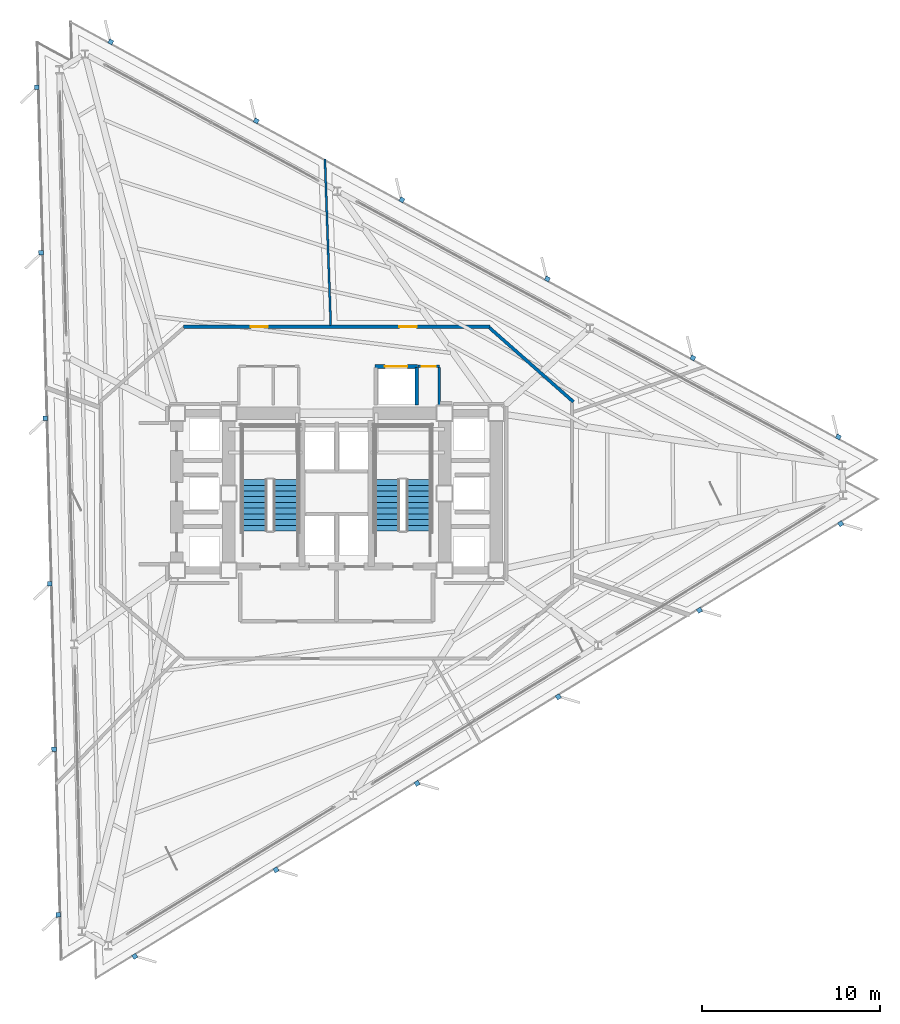
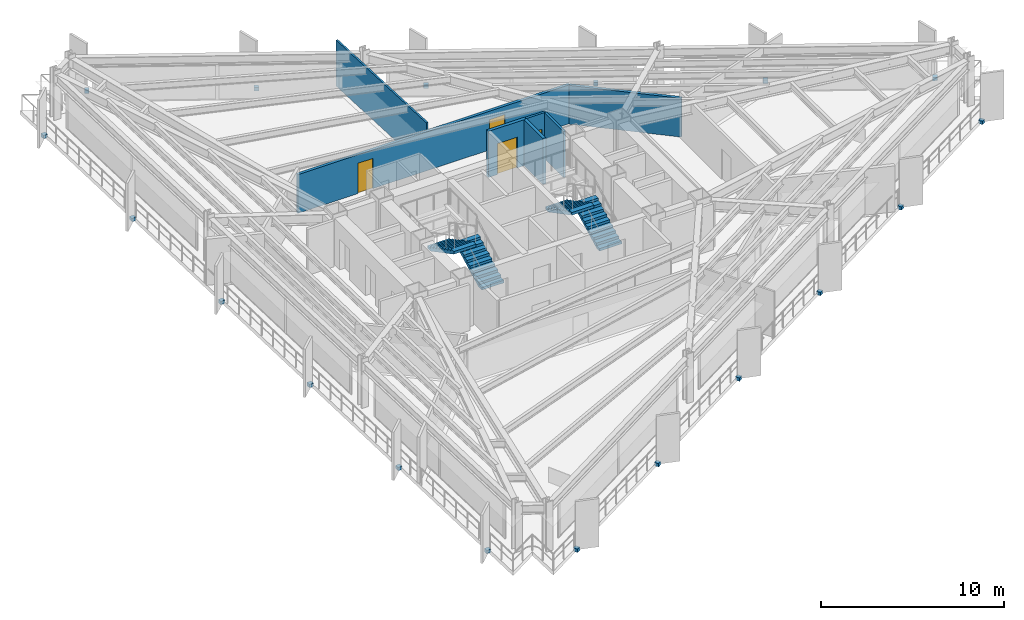
# One storey, part 9 of 14: 18 discrete accessories, 7 walls, 4 doors, 4 stair flights, 4 openings, 2 elements without a shape of their own.
"""IFC4 building model written with IfcOpenShell, lengths in metres."""

from ifc_helpers import new_model, si_unit, direction, frame, frame_2d, origin, origin_2d, place, context, subcontext, project, spatial, polyline, rectangle, outline, extrude, material, layer, layer_set, type_object, element, fill, aggregate, save


model = new_model("IFC4")

# Units and contexts
model_context = context("Model", 3, precision=1e-05, world=origin(), true_north=direction((0.0, 1.0)))
body_context = subcontext(model_context, "Body", "Model", "MODEL_VIEW")
ifc_project = project(units=[si_unit("LENGTHUNIT", "METRE"), si_unit("AREAUNIT", "SQUARE_METRE"), si_unit("VOLUMEUNIT", "CUBIC_METRE"), si_unit("PLANEANGLEUNIT", "RADIAN"), si_unit("MASSUNIT", "GRAM", prefix="KILO")], contexts=[model_context])

# Site, building, storey
site_placement = place(None, origin())
site = spatial("IfcSite", under=ifc_project, at=site_placement, CompositionType="ELEMENT")
building_placement = place(site_placement, origin())
building = spatial("IfcBuilding", under=site, at=building_placement, Name="Rocaltana Carrier Exchange", CompositionType="ELEMENT")
storey_placement = place(building_placement, frame((0.0, 0.0, 39.0400390625)))
storey = spatial("IfcBuildingStorey", under=building, at=storey_placement, Name="L12", CompositionType="ELEMENT", Elevation=39.0400390625)

# Wall, openings, doors
ifc_material_1 = material(Name="Gypsum & Steel Stud Partition", Category="steel")
ifc_layer_1 = layer(ifc_material_1, 0.179931640625)
ifc_layer_set_1 = layer_set([ifc_layer_1], Name="Gypsum & Steel Stud Partition")
wall_type_1 = type_object("IfcWallType", Name="Corridor Fire Partition 180 EI60", PredefinedType="PARTITIONING", material=ifc_layer_set_1)
wall_1_placement = place(storey_placement, frame((-8.590087890625, 9.35009765625, 0.0), z_axis=(0.0, 0.0, 1.0), x_axis=(1.0, 0.0, 0.0)))
wall_1 = element("IfcWall", 1, at=wall_1_placement, inside=storey, type_object=wall_type_1, Name="L12 Corridor Partition 1", PredefinedType="PARTITIONING", context=body_context, shape_type="SweptSolid", body=[
    extrude(rectangle(XDim=17.18017578125, YDim=0.179931640625, at=frame_2d((8.590087890625, 0.0))), origin(), (0.0, 0.0, 1.0), 2.5869140625),
])
opening_1_placement = place(wall_1_placement, frame((12.110107421875, 0.0, 0.0)))
opening_1 = element("IfcOpeningElement", 2, at=opening_1_placement, cuts=wall_1, Name="Opening D-RM098", PredefinedType="OPENING", context=body_context, shape_type="SweptSolid", body=[
    extrude(rectangle(XDim=0.9599609375, YDim=2.02001953125, at=frame_2d((0.47998046875, 1.010009765625))), frame((0.0, 0.099853515625, 0.0), z_axis=(0.0, -1.0, 0.0), x_axis=(1.0, 0.0, 0.0)), (0.0, 0.0, 1.0), 0.199951171875),
])
opening_2_placement = place(wall_1_placement, frame((3.780517578125, 0.0, 0.0)))
opening_2 = element("IfcOpeningElement", 3, at=opening_2_placement, cuts=wall_1, Name="Opening D-RM098", PredefinedType="OPENING", context=body_context, shape_type="SweptSolid", body=[
    extrude(rectangle(XDim=0.9599609375, YDim=2.02001953125, at=frame_2d((0.47998046875, 1.010009765625))), frame((0.0, 0.099853515625, 0.0), z_axis=(0.0, -1.0, 0.0), x_axis=(1.0, 0.0, 0.0)), (0.0, 0.0, 1.0), 0.199951171875),
])
ifc_material_2 = material(Name="Engineered Hardwood Timber", Category="wood")
door_type_1 = type_object("IfcDoorType", Name="Workspace Single Door 960x2020", OperationType="NOTDEFINED", PredefinedType="DOOR", material=ifc_material_2)
door_1_placement = place(opening_1_placement, origin())
door_1 = element("IfcDoor", 4, at=door_1_placement, inside=storey, type_object=door_type_1, Name="L12 Quiet Focus Lounge Entrance Door", OperationType="SINGLE_SWING_RIGHT", OverallHeight=2.02001953125, OverallWidth=0.9599609375, PredefinedType="DOOR", context=body_context, shape_type="SweptSolid", body=[
    extrude(rectangle(XDim=0.9599609375, YDim=2.02001953125, at=frame_2d((0.47998046875, 1.010009765625))), frame((0.0, 0.02490234375, 0.0), z_axis=(0.0, -1.0, 0.0), x_axis=(1.0, 0.0, 0.0)), (0.0, 0.0, 1.0), 0.050048828125),
])
fill(opening_1, door_1)
door_2_placement = place(opening_2_placement, origin())
door_2 = element("IfcDoor", 5, at=door_2_placement, inside=storey, type_object=door_type_1, Name="L12 Peering Conference Room Entrance Door", OperationType="SINGLE_SWING_LEFT", OverallHeight=2.02001953125, OverallWidth=0.9599609375, PredefinedType="DOOR", context=body_context, shape_type="SweptSolid", body=[
    extrude(rectangle(XDim=0.9599609375, YDim=2.02001953125, at=frame_2d((0.47998046875, 1.010009765625))), frame((0.0, 0.02490234375, 0.0), z_axis=(0.0, -1.0, 0.0), x_axis=(1.0, 0.0, 0.0)), (0.0, 0.0, 1.0), 0.050048828125),
])
fill(opening_2, door_2)

# Walls
wall_2_placement = place(storey_placement, frame((8.5673828125, 9.290283203125, 0.0), z_axis=(0.0, 0.0, 1.0), x_axis=(0.749626463267, -0.66186113768, 0.0)))
element("IfcWall", 6, at=wall_2_placement, inside=storey, type_object=wall_type_1, Name="L12 Corridor Partition 2", PredefinedType="PARTITIONING", context=body_context, shape_type="SweptSolid", body=[
    extrude(rectangle(XDim=6.27001953125, YDim=0.179931640625, at=frame_2d((3.135009765625, 0.0))), origin(), (0.0, 0.0, 1.0), 2.5869140625),
])
ifc_material_3 = material(Name="Aluminium 6063-T6 & Acoustic Glass", Category="aluminium")
ifc_layer_2 = layer(ifc_material_3, 0.114990234375)
ifc_layer_set_2 = layer_set([ifc_layer_2], Name="Aluminium 6063-T6 & Acoustic Glass")
wall_type_2 = type_object("IfcWallType", Name="Demountable Glazed Lab Partition 115", PredefinedType="MOVABLE", material=ifc_layer_set_2)
wall_3_placement = place(storey_placement, frame((-0.329345703125, 9.429931640625, 0.0), z_axis=(0.0, 0.0, 1.0), x_axis=(-0.034885649993, 0.999391310461, 0.0)))
element("IfcWall", 7, at=wall_3_placement, inside=storey, type_object=wall_type_2, Name="L12 Suite Divider Wall D5", PredefinedType="MOVABLE", context=body_context, shape_type="SweptSolid", body=[
    extrude(rectangle(XDim=9.314697265625, YDim=0.114990234375, at=frame_2d((4.6572265625, 0.0))), origin(), (0.0, 0.0, 1.0), 3.072998046875),
])
ifc_material_4 = material(Name="Reinforced Concrete Block C35/45", Category="concrete")
ifc_layer_3 = layer(ifc_material_4, 0.199951171875)
ifc_layer_set_3 = layer_set([ifc_layer_3], Name="Reinforced Concrete Block C35/45")
wall_type_3 = type_object("IfcWallType", Name="Lift Hoistway Enclosure Wall 200 EI120", PredefinedType="PARTITIONING", material=ifc_layer_set_3)
wall_4_placement = place(storey_placement, frame((4.47998046875, 4.949951171875, 0.0), z_axis=(0.0, 0.0, 1.0), x_axis=(0.0, 1.0, 0.0)))
element("IfcWall", 8, at=wall_4_placement, inside=storey, type_object=wall_type_3, Name="L12 Goods Lift East Wall", PredefinedType="PARTITIONING", context=body_context, shape_type="SweptSolid", body=[
    extrude(rectangle(XDim=2.10009765625, YDim=0.199951171875, at=frame_2d((1.050048828125, 0.0))), origin(), (0.0, 0.0, 1.0), 3.072998046875),
])

# Wall, opening, door
wall_5_placement = place(storey_placement, frame((2.14990234375, 7.1201171875, 0.0), z_axis=(0.0, 0.0, 1.0), x_axis=(1.0, 0.0, 0.0)))
wall_5 = element("IfcWall", 9, at=wall_5_placement, inside=storey, type_object=wall_type_3, Name="L12 Goods Lift Front Wall", PredefinedType="PARTITIONING", context=body_context, shape_type="SweptSolid", body=[
    extrude(rectangle(XDim=2.380126953125, YDim=0.199951171875, at=frame_2d((1.18994140625, 0.0))), origin(), (0.0, 0.0, 1.0), 3.072998046875),
])
opening_3_placement = place(wall_5_placement, frame((0.56005859375, 0.0, 0.0)))
opening_3 = element("IfcOpeningElement", 10, at=opening_3_placement, cuts=wall_5, Name="Opening LD-130", PredefinedType="OPENING", context=body_context, shape_type="SweptSolid", body=[
    extrude(rectangle(XDim=1.260009765625, YDim=2.06005859375, at=frame_2d((0.6298828125, 1.030029296875))), frame((0.0, 0.10986328125, 0.0), z_axis=(0.0, -1.0, 0.0), x_axis=(1.0, 0.0, 0.0)), (0.0, 0.0, 1.0), 0.219970703125),
])
ifc_material_5 = material(Name="Brushed Stainless Sliding Door Leaf", Category="steel")
door_type_2 = type_object("IfcDoorType", Name="Goods Lift Landing Sliding Door 1260x2060", OperationType="NOTDEFINED", PredefinedType="DOOR", material=ifc_material_5)
door_3_placement = place(opening_3_placement, origin())
door_3 = element("IfcDoor", 11, at=door_3_placement, inside=storey, type_object=door_type_2, Name="L12 Goods Lift GL-1 Landing Door", OperationType="SLIDING_TO_LEFT", OverallHeight=2.06005859375, OverallWidth=1.260009765625, PredefinedType="DOOR", context=body_context, shape_type="SweptSolid", body=[
    extrude(rectangle(XDim=1.260009765625, YDim=2.06005859375, at=frame_2d((0.6298828125, 1.030029296875))), frame((0.0, 0.02490234375, 0.0), z_axis=(0.0, -1.0, 0.0), x_axis=(1.0, 0.0, 0.0)), (0.0, 0.0, 1.0), 0.050048828125),
])
fill(opening_3, door_3)

# Wall
ifc_material_6 = material(Name="Moisture-Resistant Masonry C30/37", Category="masonry")
ifc_layer_4 = layer(ifc_material_6, 0.139892578125)
ifc_layer_set_4 = layer_set([ifc_layer_4], Name="Moisture-Resistant Masonry C30/37")
wall_type_4 = type_object("IfcWallType", Name="Wet-Area Sanitary Partition 140", PredefinedType="PARTITIONING", material=ifc_layer_set_4)
wall_6_placement = place(storey_placement, frame((5.760009765625, 4.949951171875, 0.0), z_axis=(0.0, 0.0, 1.0), x_axis=(0.0, 1.0, 0.0)))
element("IfcWall", 12, at=wall_6_placement, inside=storey, type_object=wall_type_4, Name="L12 Riser East Wall", PredefinedType="PARTITIONING", context=body_context, shape_type="SweptSolid", body=[
    extrude(rectangle(XDim=2.10009765625, YDim=0.139892578125, at=frame_2d((1.050048828125, 0.0))), origin(), (0.0, 0.0, 1.0), 3.072998046875),
])

# Wall, opening, door
wall_7_placement = place(storey_placement, frame((4.56005859375, 7.1201171875, 0.0), z_axis=(0.0, 0.0, 1.0), x_axis=(1.0, 0.0, 0.0)))
wall_7 = element("IfcWall", 13, at=wall_7_placement, inside=storey, type_object=wall_type_4, Name="L12 Riser North Wall", PredefinedType="PARTITIONING", context=body_context, shape_type="SweptSolid", body=[
    extrude(rectangle(XDim=1.199951171875, YDim=0.139892578125, at=frame_2d((0.60009765625, 0.0))), origin(), (0.0, 0.0, 1.0), 3.072998046875),
])
opening_4_placement = place(wall_7_placement, frame((0.2099609375, 0.0, 0.0)))
opening_4 = element("IfcOpeningElement", 14, at=opening_4_placement, cuts=wall_7, Name="Opening D-RS082", PredefinedType="OPENING", context=body_context, shape_type="SweptSolid", body=[
    extrude(rectangle(XDim=0.780029296875, YDim=2.010009765625, at=frame_2d((0.39013671875, 1.0048828125))), frame((0.0, 0.079833984375, 0.0), z_axis=(0.0, -1.0, 0.0), x_axis=(1.0, 0.0, 0.0)), (0.0, 0.0, 1.0), 0.159912109375),
])
ifc_material_7 = material(Name="Hollow Metal Access Door Leaf", Category="steel")
door_type_3 = type_object("IfcDoorType", Name="Riser & Service Closet Door 780x2010", OperationType="NOTDEFINED", PredefinedType="DOOR", material=ifc_material_7)
door_4_placement = place(opening_4_placement, origin())
door_4 = element("IfcDoor", 15, at=door_4_placement, inside=storey, type_object=door_type_3, Name="L12 Fibre Riser Closet Door", OperationType="SINGLE_SWING_LEFT", OverallHeight=2.010009765625, OverallWidth=0.780029296875, PredefinedType="DOOR", context=body_context, shape_type="SweptSolid", body=[
    extrude(rectangle(XDim=0.780029296875, YDim=2.010009765625, at=frame_2d((0.39013671875, 1.0048828125))), frame((0.0, 0.02490234375, 0.0), z_axis=(0.0, -1.0, 0.0), x_axis=(1.0, 0.0, 0.0)), (0.0, 0.0, 1.0), 0.050048828125),
])
fill(opening_4, door_4)

# Stair, stair flights
ifc_material_8 = material(Name="Precast concrete C45/55", Category="concrete")
stair_type = type_object("IfcStairType", Name="Standard Dog-Leg Stair 160", PredefinedType="HALF_TURN_STAIR", material=ifc_material_8)
stair_1_placement = place(storey_placement, origin())
stair_1 = element("IfcStair", 16, at=stair_1_placement, inside=storey, type_object=stair_type, Name="L12 Core West Exit Stair ST-1", PredefinedType="HALF_TURN_STAIR")
ifc_material_9 = material(Name="Precast concrete C45/55", Category="concrete")
stair_flight_type = type_object("IfcStairFlightType", Name="Precast Stair Flight 160", PredefinedType="STRAIGHT", material=ifc_material_9)
stair_flight_1_placement = place(storey_placement, frame((-2.840087890625, -2.10009765625, 0.0), z_axis=(0.0, 0.0, 1.0), x_axis=(0.0, 1.0, 0.0)))
stair_flight_1 = element("IfcStairFlight", 17, at=stair_flight_1_placement, type_object=stair_flight_type, Name="ST-1 flight 1", NumberOfRisers=10, NumberOfTreads=9, PredefinedType="STRAIGHT", RiserHeight=0.168, TreadLength=0.32, context=body_context, shape_type="SweptSolid", body=[
    extrude(outline(polyline([(0.0, 0.0), (0.0, 0.16796875), (0.320068359375, 0.16796875), (0.320068359375, 0.3359375), (0.639892578125, 0.3359375), (0.639892578125, 0.50390625), (0.9599609375, 0.50390625), (0.9599609375, 0.672119140625), (1.280029296875, 0.672119140625), (1.280029296875, 0.840087890625), (1.60009765625, 0.840087890625), (1.60009765625, 1.008056640625), (1.919921875, 1.008056640625), (1.919921875, 1.176025390625), (2.239990234375, 1.176025390625), (2.239990234375, 1.343994140625), (2.56005859375, 1.343994140625), (2.56005859375, 1.511962890625), (2.8798828125, 1.511962890625), (2.8798828125, 1.679931640625), (2.8798828125, 1.331298828125), (0.343994140625, 0.0), (0.0, 0.0)])), frame((0.0, 0.699951171875, 0.0), z_axis=(0.0, -1.0, 0.0), x_axis=(1.0, 0.0, 0.0)), (0.0, 0.0, 1.0), 1.39990234375),
])
stair_flight_2_placement = place(storey_placement, frame((-4.60009765625, 0.780029296875, 1.679931640625), z_axis=(0.0, 0.0, 1.0), x_axis=(0.0, -1.0, 0.0)))
stair_flight_2 = element("IfcStairFlight", 18, at=stair_flight_2_placement, type_object=stair_flight_type, Name="ST-1 flight 2", NumberOfRisers=10, NumberOfTreads=9, PredefinedType="STRAIGHT", RiserHeight=0.168, TreadLength=0.32, context=body_context, shape_type="SweptSolid", body=[
    extrude(outline(polyline([(0.0, 0.0), (0.0, 0.16796875), (0.320068359375, 0.16796875), (0.320068359375, 0.3359375), (0.639892578125, 0.3359375), (0.639892578125, 0.50390625), (0.9599609375, 0.50390625), (0.9599609375, 0.672119140625), (1.280029296875, 0.672119140625), (1.280029296875, 0.840087890625), (1.60009765625, 0.840087890625), (1.60009765625, 1.008056640625), (1.919921875, 1.008056640625), (1.919921875, 1.176025390625), (2.239990234375, 1.176025390625), (2.239990234375, 1.343994140625), (2.56005859375, 1.343994140625), (2.56005859375, 1.511962890625), (2.8798828125, 1.511962890625), (2.8798828125, 1.679931640625), (2.8798828125, 1.331298828125), (0.343994140625, 0.0), (0.0, 0.0)])), frame((0.0, 0.699951171875, 0.0), z_axis=(0.0, -1.0, 0.0), x_axis=(1.0, 0.0, 0.0)), (0.0, 0.0, 1.0), 1.39990234375),
])
aggregate(stair_1, [stair_flight_1, stair_flight_2])

stair_2_placement = place(storey_placement, origin())
stair_2 = element("IfcStair", 19, at=stair_2_placement, inside=storey, type_object=stair_type, Name="L12 Core East Exit Stair ST-2", PredefinedType="HALF_TURN_STAIR")
stair_flight_3_placement = place(storey_placement, frame((4.60009765625, -2.10009765625, 0.0), z_axis=(0.0, 0.0, 1.0), x_axis=(0.0, 1.0, 0.0)))
stair_flight_3 = element("IfcStairFlight", 20, at=stair_flight_3_placement, type_object=stair_flight_type, Name="ST-2 flight 1", NumberOfRisers=10, NumberOfTreads=9, PredefinedType="STRAIGHT", RiserHeight=0.168, TreadLength=0.32, context=body_context, shape_type="SweptSolid", body=[
    extrude(outline(polyline([(0.0, 0.0), (0.0, 0.16796875), (0.320068359375, 0.16796875), (0.320068359375, 0.3359375), (0.639892578125, 0.3359375), (0.639892578125, 0.50390625), (0.9599609375, 0.50390625), (0.9599609375, 0.672119140625), (1.280029296875, 0.672119140625), (1.280029296875, 0.840087890625), (1.60009765625, 0.840087890625), (1.60009765625, 1.008056640625), (1.919921875, 1.008056640625), (1.919921875, 1.176025390625), (2.239990234375, 1.176025390625), (2.239990234375, 1.343994140625), (2.56005859375, 1.343994140625), (2.56005859375, 1.511962890625), (2.8798828125, 1.511962890625), (2.8798828125, 1.679931640625), (2.8798828125, 1.331298828125), (0.343994140625, 0.0), (0.0, 0.0)])), frame((0.0, 0.699951171875, 0.0), z_axis=(0.0, -1.0, 0.0), x_axis=(1.0, 0.0, 0.0)), (0.0, 0.0, 1.0), 1.39990234375),
])
stair_flight_4_placement = place(storey_placement, frame((2.840087890625, 0.780029296875, 1.679931640625), z_axis=(0.0, 0.0, 1.0), x_axis=(0.0, -1.0, 0.0)))
stair_flight_4 = element("IfcStairFlight", 21, at=stair_flight_4_placement, type_object=stair_flight_type, Name="ST-2 flight 2", NumberOfRisers=10, NumberOfTreads=9, PredefinedType="STRAIGHT", RiserHeight=0.168, TreadLength=0.32, context=body_context, shape_type="SweptSolid", body=[
    extrude(outline(polyline([(0.0, 0.0), (0.0, 0.16796875), (0.320068359375, 0.16796875), (0.320068359375, 0.3359375), (0.639892578125, 0.3359375), (0.639892578125, 0.50390625), (0.9599609375, 0.50390625), (0.9599609375, 0.672119140625), (1.280029296875, 0.672119140625), (1.280029296875, 0.840087890625), (1.60009765625, 0.840087890625), (1.60009765625, 1.008056640625), (1.919921875, 1.008056640625), (1.919921875, 1.176025390625), (2.239990234375, 1.176025390625), (2.239990234375, 1.343994140625), (2.56005859375, 1.343994140625), (2.56005859375, 1.511962890625), (2.8798828125, 1.511962890625), (2.8798828125, 1.679931640625), (2.8798828125, 1.331298828125), (0.343994140625, 0.0), (0.0, 0.0)])), frame((0.0, 0.699951171875, 0.0), z_axis=(0.0, -1.0, 0.0), x_axis=(1.0, 0.0, 0.0)), (0.0, 0.0, 1.0), 1.39990234375),
])
aggregate(stair_2, [stair_flight_3, stair_flight_4])

# Discrete accessories
ifc_material_10 = material(Name="Brushed Architectural Stainless Metal", Category="steel")
ifc_layer_5 = layer(ifc_material_10, 0.219970703125)
ifc_layer_set_5 = layer_set([ifc_layer_5], Name="Brushed Architectural Stainless Metal")
discrete_accessory_type = type_object("IfcDiscreteAccessoryType", Name="Stainless Fin Slab-Edge Bracket 260x260x220", PredefinedType="BRACKET", material=ifc_layer_set_5)
for number, where, z_axis, x_axis, name in (
    (22, (28.121337890625, 3.171875, -0.2099609375), (0.0, 0.0, 1.0), (-0.878817112662, 0.47715876026, 0.0), "L12 Sandstone Fin Edge Bracket F1-01"),
    (23, (19.9658203125, 7.599853515625, -0.2099609375), (0.0, 0.0, 1.0), (-0.878817112662, 0.47715876026, 0.0), "L12 Sandstone Fin Edge Bracket F1-02"),
    (24, (11.810546875, 12.02783203125, -0.2099609375), (0.0, 0.0, 1.0), (-0.878817112662, 0.47715876026, 0.0), "L12 Sandstone Fin Edge Bracket F1-03"),
    (25, (3.655029296875, 16.4560546875, -0.2099609375), (0.0, 0.0, 1.0), (-0.878817112662, 0.47715876026, 0.0), "L12 Sandstone Fin Edge Bracket F1-04"),
    (26, (-4.50048828125, 20.884033203125, -0.2099609375), (0.0, 0.0, 1.0), (-0.878817112662, 0.47715876026, 0.0), "L12 Sandstone Fin Edge Bracket F1-05"),
    (27, (-12.65576171875, 25.31201171875, -0.2099609375), (0.0, 0.0, 1.0), (-0.878817112662, 0.47715876026, 0.0), "L12 Sandstone Fin Edge Bracket F1-06"),
    (28, (-16.8076171875, 22.767822265625, -0.2099609375), (0.0, 0.0, 1.0), (0.026176948308, -0.999657324976, 0.0), "L12 Sandstone Fin Edge Bracket F2-01"),
    (29, (-16.564697265625, 13.490966796875, -0.2099609375), (0.0, 0.0, 1.0), (0.026176948308, -0.999657324976, 0.0), "L12 Sandstone Fin Edge Bracket F2-02"),
    (30, (-16.32177734375, 4.214111328125, -0.2099609375), (0.0, 0.0, 1.0), (0.026176948308, -0.999657324976, 0.0), "L12 Sandstone Fin Edge Bracket F2-03"),
    (31, (-16.078857421875, -5.0625, -0.2099609375), (0.0, 0.0, 1.0), (0.026176948308, -0.999657324976, 0.0), "L12 Sandstone Fin Edge Bracket F2-04"),
    (32, (-15.8359375, -14.33935546875, -0.2099609375), (0.0, 0.0, 1.0), (0.026176948308, -0.999657324976, 0.0), "L12 Sandstone Fin Edge Bracket F2-05"),
    (33, (-15.593017578125, -23.6162109375, -0.2099609375), (0.0, 0.0, 1.0), (0.026176948308, -0.999657324976, 0.0), "L12 Sandstone Fin Edge Bracket F2-06"),
    (34, (-11.313720703125, -25.939697265625, -0.2099609375), (0.0, 0.0, 1.0), (0.852640164354, 0.522498564716, 0.0), "L12 Sandstone Fin Edge Bracket F3-01"),
    (35, (-3.401123046875, -21.0908203125, -0.2099609375), (0.0, 0.0, 1.0), (0.852640164354, 0.522498564716, 0.0), "L12 Sandstone Fin Edge Bracket F3-02"),
    (36, (4.51123046875, -16.2421875, -0.2099609375), (0.0, 0.0, 1.0), (0.852640164354, 0.522498564716, 0.0), "L12 Sandstone Fin Edge Bracket F3-03"),
    (37, (12.423828125, -11.393310546875, -0.2099609375), (0.0, 0.0, 1.0), (0.852640164354, 0.522498564716, 0.0), "L12 Sandstone Fin Edge Bracket F3-04"),
    (38, (20.336181640625, -6.54443359375, -0.2099609375), (0.0, 0.0, 1.0), (0.852640164354, 0.522498564716, 0.0), "L12 Sandstone Fin Edge Bracket F3-05"),
    (39, (28.248779296875, -1.69580078125, -0.2099609375), (0.0, 0.0, 1.0), (0.852640164354, 0.522498564716, 0.0), "L12 Sandstone Fin Edge Bracket F3-06"),
):
    element("IfcDiscreteAccessory", number, at=place(storey_placement, frame(where, z_axis=z_axis, x_axis=x_axis)), inside=storey, type_object=discrete_accessory_type, Name=name, PredefinedType="BRACKET", context=body_context, shape_type="SweptSolid", body=[
        extrude(rectangle(XDim=0.260009765625, YDim=0.260009765625, at=origin_2d()), origin(), (0.0, 0.0, 1.0), 0.219970703125),
    ])

save(model, "model.ifc")
